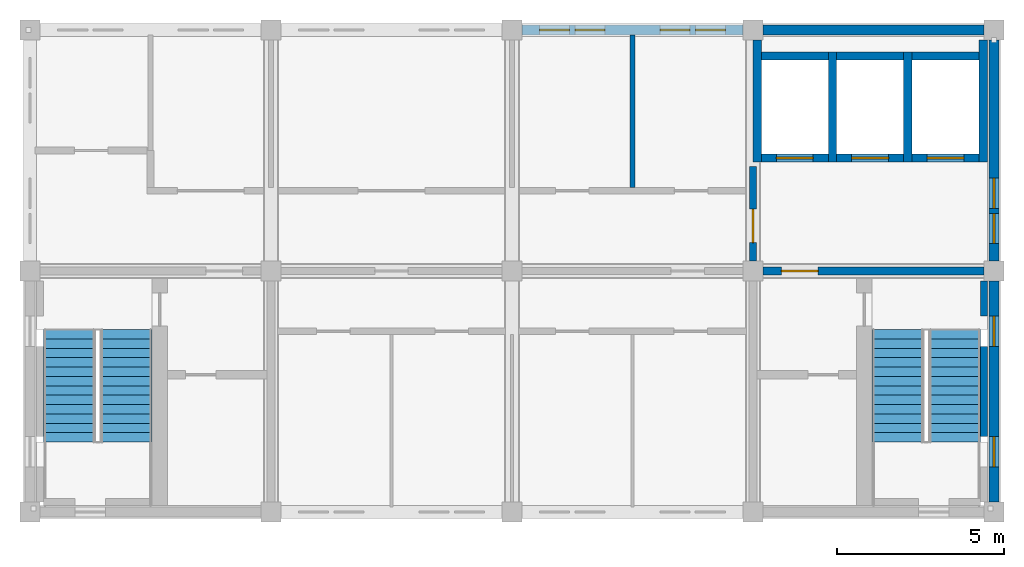
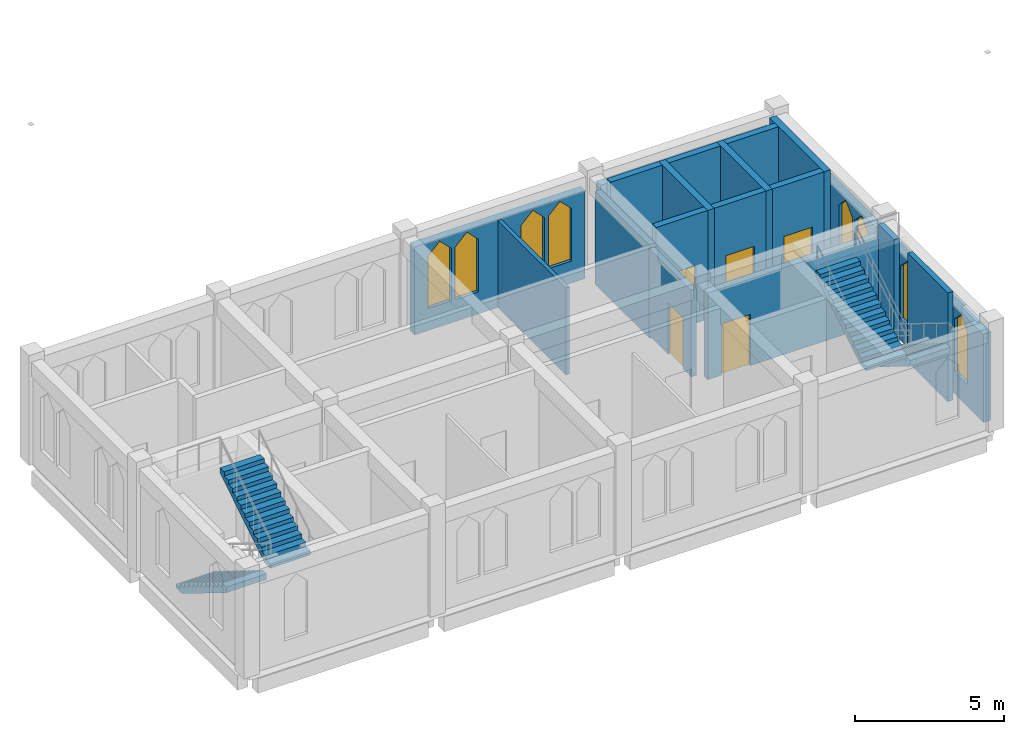
# One storey, part 4 of 6: 19 walls, 8 windows, 5 doors, 4 stair flights, 13 openings, 2 elements without a shape of their own.
"""IFC4 building model written with IfcOpenShell, lengths in metres."""

from ifc_helpers import new_model, si_unit, direction, frame, frame_2d, origin, place, context, subcontext, project, spatial, polyline, rectangle, outline, extrude, material, layer, layer_set, type_object, element, fill, aggregate, save


model = new_model("IFC4")

# Units and contexts
model_context = context("Model", 3, precision=1e-05, world=origin(), true_north=direction((0.0, 1.0)))
body_context = subcontext(model_context, "Body", "Model", "MODEL_VIEW")
ifc_project = project(units=[si_unit("LENGTHUNIT", "METRE"), si_unit("AREAUNIT", "SQUARE_METRE"), si_unit("VOLUMEUNIT", "CUBIC_METRE"), si_unit("PLANEANGLEUNIT", "RADIAN"), si_unit("MASSUNIT", "GRAM", prefix="KILO")], contexts=[model_context])

# Site, building, storey
site_placement = place(None, origin())
site = spatial("IfcSite", under=ifc_project, at=site_placement, CompositionType="ELEMENT")
building_placement = place(site_placement, origin())
building = spatial("IfcBuilding", under=site, at=building_placement, Name="Silangan Lancet Faculty of Sciences", CompositionType="ELEMENT")
storey_placement = place(building_placement, frame((0.0, 0.0, 76.800048828125)))
storey = spatial("IfcBuildingStorey", under=building, at=storey_placement, Name="L16", CompositionType="ELEMENT", Elevation=76.800048828125)

# Wall, openings, windows
ifc_material_1 = material(Name="Concrete C40/50 precast", Category="concrete")
ifc_layer_1 = layer(ifc_material_1, 0.300048828125)
ifc_layer_set_1 = layer_set([ifc_layer_1], Name="Concrete C40/50 precast")
wall_type_1 = type_object("IfcWallType", Name="EW2 Turret enclosure wall", PredefinedType="STANDARD", material=ifc_layer_set_1)
wall_1_placement = place(storey_placement, frame((28.800048828125, 0.300048828125, 0.0), z_axis=(0.0, 0.0, 1.0), x_axis=(0.0, 1.0, 0.0)))
wall_1 = element("IfcWall", 1, at=wall_1_placement, inside=storey, type_object=wall_type_1, Name="EW-L16-E-ST-U-00", PredefinedType="STANDARD", context=body_context, shape_type="SweptSolid", body=[
    extrude(rectangle(XDim=6.599853515625, YDim=0.300048828125, at=frame_2d((3.2998046875, 0.0))), origin(), (0.0, 0.0, 1.0), 3.599853515625),
])
opening_1_placement = place(wall_1_placement, frame((1.050048828125, 0.0, 0.89990234375)))
opening_1 = element("IfcOpeningElement", 2, at=opening_1_placement, cuts=wall_1, Name="Opening W25", PredefinedType="OPENING", context=body_context, shape_type="SweptSolid", body=[
    extrude(outline(polyline([(0.0, 0.0), (0.89990234375, 0.0), (0.89990234375, 2.150146484375), (0.449951171875, 2.60009765625), (0.0, 2.150146484375), (0.0, 0.0)])), frame((0.0, 0.159912109375, 0.0), z_axis=(0.0, -1.0, 0.0), x_axis=(1.0, 0.0, 0.0)), (0.0, 0.0, 1.0), 0.320068359375),
])
opening_2_placement = place(wall_1_placement, frame((4.64990234375, 0.0, 0.89990234375)))
opening_2 = element("IfcOpeningElement", 3, at=opening_2_placement, cuts=wall_1, Name="Opening W25", PredefinedType="OPENING", context=body_context, shape_type="SweptSolid", body=[
    extrude(outline(polyline([(0.0, 0.0), (0.89990234375, 0.0), (0.89990234375, 2.150146484375), (0.449951171875, 2.60009765625), (0.0, 2.150146484375), (0.0, 0.0)])), frame((0.0, 0.159912109375, 0.0), z_axis=(0.0, -1.0, 0.0), x_axis=(1.0, 0.0, 0.0)), (0.0, 0.0, 1.0), 0.320068359375),
])
ifc_material_2 = material(Name="Aluminium frame, laminated double glazing", Category="aluminium")
window_type = type_object("IfcWindowType", Name="W25 Lancet window 900 x 2600", PartitioningType="SINGLE_PANEL", PredefinedType="WINDOW", material=ifc_material_2)
window_1_placement = place(opening_1_placement, origin())
window_1 = element("IfcWindow", 4, at=window_1_placement, inside=storey, type_object=window_type, Name="WIN-L16-E-ST-U-00a", OverallHeight=2.60009765625, OverallWidth=0.89990234375, PartitioningType="SINGLE_PANEL", PredefinedType="WINDOW", context=body_context, shape_type="SweptSolid", body=[
    extrude(outline(polyline([(0.0, 0.0), (0.89990234375, 0.0), (0.89990234375, 2.150146484375), (0.449951171875, 2.60009765625), (0.0, 2.150146484375), (0.0, 0.0)])), frame((0.0, 0.030029296875, 0.0), z_axis=(0.0, -1.0, 0.0), x_axis=(1.0, 0.0, 0.0)), (0.0, 0.0, 1.0), 0.06005859375),
])
fill(opening_1, window_1)
window_2_placement = place(opening_2_placement, origin())
window_2 = element("IfcWindow", 5, at=window_2_placement, inside=storey, type_object=window_type, Name="WIN-L16-E-ST-U-00b", OverallHeight=2.60009765625, OverallWidth=0.89990234375, PartitioningType="SINGLE_PANEL", PredefinedType="WINDOW", context=body_context, shape_type="SweptSolid", body=[
    extrude(outline(polyline([(0.0, 0.0), (0.89990234375, 0.0), (0.89990234375, 2.150146484375), (0.449951171875, 2.60009765625), (0.0, 2.150146484375), (0.0, 0.0)])), frame((0.0, 0.030029296875, 0.0), z_axis=(0.0, -1.0, 0.0), x_axis=(1.0, 0.0, 0.0)), (0.0, 0.0, 1.0), 0.06005859375),
])
fill(opening_2, window_2)

ifc_material_3 = material(Name="Concrete C40/50", Category="concrete")
ifc_layer_2 = layer(ifc_material_3, 0.300048828125)
ifc_layer_set_2 = layer_set([ifc_layer_2], Name="Concrete C40/50")
wall_type_2 = type_object("IfcWallType", Name="EW7 Rendered attic wall", PredefinedType="STANDARD", material=ifc_layer_set_2)
wall_2_placement = place(storey_placement, frame((28.800048828125, 7.5, 0.0), z_axis=(0.0, 0.0, 1.0), x_axis=(0.0, 1.0, 0.0)))
wall_2 = element("IfcWall", 6, at=wall_2_placement, inside=storey, type_object=wall_type_2, Name="EW-L16-E-ST-U-01", PredefinedType="STANDARD", context=body_context, shape_type="SweptSolid", body=[
    extrude(rectangle(XDim=6.60009765625, YDim=0.300048828125, at=frame_2d((3.300048828125, 0.0))), origin(), (0.0, 0.0, 1.0), 3.599853515625),
])
opening_3_placement = place(wall_2_placement, frame((0.52490234375, 0.0, 0.89990234375)))
opening_3 = element("IfcOpeningElement", 7, at=opening_3_placement, cuts=wall_2, Name="Opening W25", PredefinedType="OPENING", context=body_context, shape_type="SweptSolid", body=[
    extrude(outline(polyline([(0.0, 0.0), (0.89990234375, 0.0), (0.89990234375, 2.150146484375), (0.449951171875, 2.60009765625), (0.0, 2.150146484375), (0.0, 0.0)])), frame((0.0, 0.159912109375, 0.0), z_axis=(0.0, -1.0, 0.0), x_axis=(1.0, 0.0, 0.0)), (0.0, 0.0, 1.0), 0.320068359375),
])
opening_4_placement = place(wall_2_placement, frame((1.574951171875, 0.0, 0.89990234375)))
opening_4 = element("IfcOpeningElement", 8, at=opening_4_placement, cuts=wall_2, Name="Opening W25", PredefinedType="OPENING", context=body_context, shape_type="SweptSolid", body=[
    extrude(outline(polyline([(0.0, 0.0), (0.89990234375, 0.0), (0.89990234375, 2.150146484375), (0.449951171875, 2.60009765625), (0.0, 2.150146484375), (0.0, 0.0)])), frame((0.0, 0.159912109375, 0.0), z_axis=(0.0, -1.0, 0.0), x_axis=(1.0, 0.0, 0.0)), (0.0, 0.0, 1.0), 0.320068359375),
])
window_3_placement = place(opening_3_placement, origin())
window_3 = element("IfcWindow", 9, at=window_3_placement, inside=storey, type_object=window_type, Name="WIN-L16-E-ST-U-01a1", OverallHeight=2.60009765625, OverallWidth=0.89990234375, PartitioningType="SINGLE_PANEL", PredefinedType="WINDOW", context=body_context, shape_type="SweptSolid", body=[
    extrude(outline(polyline([(0.0, 0.0), (0.89990234375, 0.0), (0.89990234375, 2.150146484375), (0.449951171875, 2.60009765625), (0.0, 2.150146484375), (0.0, 0.0)])), frame((0.0, 0.030029296875, 0.0), z_axis=(0.0, -1.0, 0.0), x_axis=(1.0, 0.0, 0.0)), (0.0, 0.0, 1.0), 0.06005859375),
])
fill(opening_3, window_3)
window_4_placement = place(opening_4_placement, origin())
window_4 = element("IfcWindow", 10, at=window_4_placement, inside=storey, type_object=window_type, Name="WIN-L16-E-ST-U-01a2", OverallHeight=2.60009765625, OverallWidth=0.89990234375, PartitioningType="SINGLE_PANEL", PredefinedType="WINDOW", context=body_context, shape_type="SweptSolid", body=[
    extrude(outline(polyline([(0.0, 0.0), (0.89990234375, 0.0), (0.89990234375, 2.150146484375), (0.449951171875, 2.60009765625), (0.0, 2.150146484375), (0.0, 0.0)])), frame((0.0, 0.030029296875, 0.0), z_axis=(0.0, -1.0, 0.0), x_axis=(1.0, 0.0, 0.0)), (0.0, 0.0, 1.0), 0.06005859375),
])
fill(opening_4, window_4)

# Wall
wall_3_placement = place(storey_placement, frame((28.5, 14.39990234375, 0.0), z_axis=(0.0, 0.0, 1.0), x_axis=(-1.0, 0.0, 0.0)))
element("IfcWall", 11, at=wall_3_placement, inside=storey, type_object=wall_type_2, Name="EW-L16-N-ST-U-00", PredefinedType="STANDARD", context=body_context, shape_type="SweptSolid", body=[
    extrude(rectangle(XDim=6.60009765625, YDim=0.300048828125, at=frame_2d((3.300048828125, 0.0))), origin(), (0.0, 0.0, 1.0), 3.599853515625),
])

# Wall, openings, windows
wall_4_placement = place(storey_placement, frame((21.300048828125, 14.39990234375, 0.0), z_axis=(0.0, 0.0, 1.0), x_axis=(-1.0, 0.0, 0.0)))
wall_4 = element("IfcWall", 12, at=wall_4_placement, inside=storey, type_object=wall_type_2, Name="EW-L16-N-ST-U-01", PredefinedType="STANDARD", context=body_context, shape_type="SweptSolid", body=[
    extrude(rectangle(XDim=6.60009765625, YDim=0.300048828125, at=frame_2d((3.300048828125, 0.0))), origin(), (0.0, 0.0, 1.0), 3.599853515625),
])
opening_5_placement = place(wall_4_placement, frame((0.52490234375, 0.0, 0.89990234375)))
opening_5 = element("IfcOpeningElement", 13, at=opening_5_placement, cuts=wall_4, Name="Opening W25", PredefinedType="OPENING", context=body_context, shape_type="SweptSolid", body=[
    extrude(outline(polyline([(0.0, 0.0), (0.89990234375, 0.0), (0.89990234375, 2.150146484375), (0.449951171875, 2.60009765625), (0.0, 2.150146484375), (0.0, 0.0)])), frame((0.0, 0.159912109375, 0.0), z_axis=(0.0, -1.0, 0.0), x_axis=(1.0, 0.0, 0.0)), (0.0, 0.0, 1.0), 0.320068359375),
])
opening_6_placement = place(wall_4_placement, frame((1.574951171875, 0.0, 0.89990234375)))
opening_6 = element("IfcOpeningElement", 14, at=opening_6_placement, cuts=wall_4, Name="Opening W25", PredefinedType="OPENING", context=body_context, shape_type="SweptSolid", body=[
    extrude(outline(polyline([(0.0, 0.0), (0.89990234375, 0.0), (0.89990234375, 2.150146484375), (0.449951171875, 2.60009765625), (0.0, 2.150146484375), (0.0, 0.0)])), frame((0.0, 0.159912109375, 0.0), z_axis=(0.0, -1.0, 0.0), x_axis=(1.0, 0.0, 0.0)), (0.0, 0.0, 1.0), 0.320068359375),
])
opening_7_placement = place(wall_4_placement, frame((4.125, 0.0, 0.89990234375)))
opening_7 = element("IfcOpeningElement", 15, at=opening_7_placement, cuts=wall_4, Name="Opening W25", PredefinedType="OPENING", context=body_context, shape_type="SweptSolid", body=[
    extrude(outline(polyline([(0.0, 0.0), (0.89990234375, 0.0), (0.89990234375, 2.150146484375), (0.449951171875, 2.60009765625), (0.0, 2.150146484375), (0.0, 0.0)])), frame((0.0, 0.159912109375, 0.0), z_axis=(0.0, -1.0, 0.0), x_axis=(1.0, 0.0, 0.0)), (0.0, 0.0, 1.0), 0.320068359375),
])
opening_8_placement = place(wall_4_placement, frame((5.175048828125, 0.0, 0.89990234375)))
opening_8 = element("IfcOpeningElement", 16, at=opening_8_placement, cuts=wall_4, Name="Opening W25", PredefinedType="OPENING", context=body_context, shape_type="SweptSolid", body=[
    extrude(outline(polyline([(0.0, 0.0), (0.89990234375, 0.0), (0.89990234375, 2.150146484375), (0.449951171875, 2.60009765625), (0.0, 2.150146484375), (0.0, 0.0)])), frame((0.0, 0.159912109375, 0.0), z_axis=(0.0, -1.0, 0.0), x_axis=(1.0, 0.0, 0.0)), (0.0, 0.0, 1.0), 0.320068359375),
])
window_5_placement = place(opening_5_placement, origin())
window_5 = element("IfcWindow", 17, at=window_5_placement, inside=storey, type_object=window_type, Name="WIN-L16-N-ST-U-01a1", OverallHeight=2.60009765625, OverallWidth=0.89990234375, PartitioningType="SINGLE_PANEL", PredefinedType="WINDOW", context=body_context, shape_type="SweptSolid", body=[
    extrude(outline(polyline([(0.0, 0.0), (0.89990234375, 0.0), (0.89990234375, 2.150146484375), (0.449951171875, 2.60009765625), (0.0, 2.150146484375), (0.0, 0.0)])), frame((0.0, 0.030029296875, 0.0), z_axis=(0.0, -1.0, 0.0), x_axis=(1.0, 0.0, 0.0)), (0.0, 0.0, 1.0), 0.06005859375),
])
fill(opening_5, window_5)
window_6_placement = place(opening_6_placement, origin())
window_6 = element("IfcWindow", 18, at=window_6_placement, inside=storey, type_object=window_type, Name="WIN-L16-N-ST-U-01a2", OverallHeight=2.60009765625, OverallWidth=0.89990234375, PartitioningType="SINGLE_PANEL", PredefinedType="WINDOW", context=body_context, shape_type="SweptSolid", body=[
    extrude(outline(polyline([(0.0, 0.0), (0.89990234375, 0.0), (0.89990234375, 2.150146484375), (0.449951171875, 2.60009765625), (0.0, 2.150146484375), (0.0, 0.0)])), frame((0.0, 0.030029296875, 0.0), z_axis=(0.0, -1.0, 0.0), x_axis=(1.0, 0.0, 0.0)), (0.0, 0.0, 1.0), 0.06005859375),
])
fill(opening_6, window_6)
window_7_placement = place(opening_7_placement, origin())
window_7 = element("IfcWindow", 19, at=window_7_placement, inside=storey, type_object=window_type, Name="WIN-L16-N-ST-U-01b1", OverallHeight=2.60009765625, OverallWidth=0.89990234375, PartitioningType="SINGLE_PANEL", PredefinedType="WINDOW", context=body_context, shape_type="SweptSolid", body=[
    extrude(outline(polyline([(0.0, 0.0), (0.89990234375, 0.0), (0.89990234375, 2.150146484375), (0.449951171875, 2.60009765625), (0.0, 2.150146484375), (0.0, 0.0)])), frame((0.0, 0.030029296875, 0.0), z_axis=(0.0, -1.0, 0.0), x_axis=(1.0, 0.0, 0.0)), (0.0, 0.0, 1.0), 0.06005859375),
])
fill(opening_7, window_7)
window_8_placement = place(opening_8_placement, origin())
window_8 = element("IfcWindow", 20, at=window_8_placement, inside=storey, type_object=window_type, Name="WIN-L16-N-ST-U-01b2", OverallHeight=2.60009765625, OverallWidth=0.89990234375, PartitioningType="SINGLE_PANEL", PredefinedType="WINDOW", context=body_context, shape_type="SweptSolid", body=[
    extrude(outline(polyline([(0.0, 0.0), (0.89990234375, 0.0), (0.89990234375, 2.150146484375), (0.449951171875, 2.60009765625), (0.0, 2.150146484375), (0.0, 0.0)])), frame((0.0, 0.030029296875, 0.0), z_axis=(0.0, -1.0, 0.0), x_axis=(1.0, 0.0, 0.0)), (0.0, 0.0, 1.0), 0.06005859375),
])
fill(opening_8, window_8)

# Wall
ifc_material_4 = material(Name="Hollow block masonry fm 7 MPa", Category="masonry")
ifc_layer_3 = layer(ifc_material_4, 0.14990234375)
ifc_layer_set_3 = layer_set([ifc_layer_3], Name="Hollow block masonry fm 7 MPa")
wall_type_3 = type_object("IfcWallType", Name="Interior wall PW3 Partition CHB 150", PredefinedType="PARTITIONING", material=ifc_layer_set_3)
wall_5_placement = place(storey_placement, frame((18.0, 9.699951171875, 0.0), z_axis=(0.0, 0.0, 1.0), x_axis=(0.0, 1.0, 0.0)))
element("IfcWall", 21, at=wall_5_placement, inside=storey, type_object=wall_type_3, Name="Partition CHB 150", PredefinedType="PARTITIONING", context=body_context, shape_type="SweptSolid", body=[
    extrude(rectangle(XDim=4.550048828125, YDim=0.14990234375, at=frame_2d((2.27490234375, 0.0))), origin(), (0.0, 0.0, 1.0), 3.550048828125),
])

# Wall, opening, door
ifc_material_5 = material(Name="Hollow block masonry fm 7 MPa", Category="masonry")
ifc_layer_4 = layer(ifc_material_5, 0.199951171875)
ifc_layer_set_4 = layer_set([ifc_layer_4], Name="Hollow block masonry fm 7 MPa")
wall_type_4 = type_object("IfcWallType", Name="Interior wall PW9 Lift lobby wall CHB 200", PredefinedType="PARTITIONING", material=ifc_layer_set_4)
wall_6_placement = place(storey_placement, frame((21.60009765625, 7.5, 0.0), z_axis=(0.0, 0.0, 1.0), x_axis=(0.0, 1.0, 0.0)))
wall_6 = element("IfcWall", 22, at=wall_6_placement, inside=storey, type_object=wall_type_4, Name="Lift lobby wall CHB 200", PredefinedType="PARTITIONING", context=body_context, shape_type="SweptSolid", body=[
    extrude(rectangle(XDim=2.824951171875, YDim=0.199951171875, at=frame_2d((1.41259765625, 0.0))), origin(), (0.0, 0.0, 1.0), 3.550048828125),
])
opening_9_placement = place(wall_6_placement, frame((0.550048828125, 0.0, 0.0)))
opening_9 = element("IfcOpeningElement", 23, at=opening_9_placement, cuts=wall_6, Name="Opening L16-001", PredefinedType="OPENING", context=body_context, shape_type="SweptSolid", body=[
    extrude(rectangle(XDim=1.0, YDim=2.10009765625, at=frame_2d((0.5, 1.050048828125))), frame((0.0, 0.10986328125, 0.0), z_axis=(0.0, -1.0, 0.0), x_axis=(1.0, 0.0, 0.0)), (0.0, 0.0, 1.0), 0.219970703125),
])
ifc_material_6 = material(Name="Steel fire door set", Category="steel")
door_type_1 = type_object("IfcDoorType", Name="Door D1 Single leaf fire door 1000 x 2100", OperationType="SINGLE_SWING_LEFT", PredefinedType="DOOR", material=ifc_material_6)
door_1_placement = place(opening_9_placement, origin())
door_1 = element("IfcDoor", 24, at=door_1_placement, inside=storey, type_object=door_type_1, Name="Single leaf fire door 1000 x 2100", OperationType="SINGLE_SWING_LEFT", OverallHeight=2.10009765625, OverallWidth=1.0, PredefinedType="DOOR", context=body_context, shape_type="SweptSolid", body=[
    extrude(rectangle(XDim=1.0, YDim=2.10009765625, at=frame_2d((0.5, 1.050048828125))), frame((0.0, 0.02490234375, 0.0), z_axis=(0.0, -1.0, 0.0), x_axis=(1.0, 0.0, 0.0)), (0.0, 0.0, 1.0), 0.050048828125),
])
fill(opening_9, door_1)

# Walls
ifc_material_7 = material(Name="Concrete C40/50", Category="concrete")
ifc_layer_5 = layer(ifc_material_7, 0.25)
ifc_layer_set_5 = layer_set([ifc_layer_5], Name="Concrete C40/50")
wall_type_5 = type_object("IfcWallType", Name="LIFT SHAFT WALL RC 250", PredefinedType="SHEAR", material=ifc_layer_set_5)
wall_7_placement = place(storey_placement, frame((21.72509765625, 10.449951171875, -0.25), z_axis=(0.0, 0.0, 1.0), x_axis=(0.0, 1.0, 0.0)))
element("IfcWall", 25, at=wall_7_placement, inside=storey, type_object=wall_type_5, Name="WALL-L16-ST-SW1", PredefinedType="SHEAR", context=body_context, shape_type="SweptSolid", body=[
    extrude(rectangle(XDim=3.650146484375, YDim=0.25, at=frame_2d((1.8251953125, 0.0))), origin(), (0.0, 0.0, 1.0), 3.800048828125),
])
for number, where, z_axis, x_axis, name in (
    (26, (23.97509765625, 10.449951171875, -0.25), (0.0, 0.0, 1.0), (0.0, 1.0, 0.0), "WALL-L16-ST-SW2"),
    (27, (26.22509765625, 10.449951171875, -0.25), (0.0, 0.0, 1.0), (0.0, 1.0, 0.0), "WALL-L16-ST-SW3"),
):
    element("IfcWall", number, at=place(storey_placement, frame(where, z_axis=z_axis, x_axis=x_axis)), inside=storey, type_object=wall_type_5, Name=name, PredefinedType="SHEAR", context=body_context, shape_type="SweptSolid", body=[
        extrude(rectangle(XDim=3.300048828125, YDim=0.25, at=frame_2d((1.64990234375, 0.0))), origin(), (0.0, 0.0, 1.0), 4.449951171875),
    ])
wall_8_placement = place(storey_placement, frame((28.47509765625, 10.449951171875, -0.25), z_axis=(0.0, 0.0, 1.0), x_axis=(0.0, 1.0, 0.0)))
element("IfcWall", 28, at=wall_8_placement, inside=storey, type_object=wall_type_5, Name="WALL-L16-ST-SW4", PredefinedType="SHEAR", context=body_context, shape_type="SweptSolid", body=[
    extrude(rectangle(XDim=3.650146484375, YDim=0.25, at=frame_2d((1.8251953125, 0.0))), origin(), (0.0, 0.0, 1.0), 4.449951171875),
])

# Wall, opening, door
wall_9_placement = place(storey_placement, frame((21.85009765625, 10.574951171875, -0.25), z_axis=(0.0, 0.0, 1.0), x_axis=(1.0, 0.0, 0.0)))
wall_9 = element("IfcWall", 29, at=wall_9_placement, inside=storey, type_object=wall_type_5, Name="WALL-L16-ST-L1-F", PredefinedType="SHEAR", context=body_context, shape_type="SweptSolid", body=[
    extrude(rectangle(XDim=2.0, YDim=0.25, at=frame_2d((1.0, 0.0))), origin(), (0.0, 0.0, 1.0), 4.449951171875),
])
opening_10_placement = place(wall_9_placement, frame((0.449951171875, 0.0, 0.25)))
opening_10 = element("IfcOpeningElement", 30, at=opening_10_placement, cuts=wall_9, Name="Opening L16-801", PredefinedType="OPENING", context=body_context, shape_type="SweptSolid", body=[
    extrude(rectangle(XDim=1.10009765625, YDim=2.10009765625, at=frame_2d((0.550048828125, 1.050048828125))), frame((0.0, 0.135009765625, 0.0), z_axis=(0.0, -1.0, 0.0), x_axis=(1.0, 0.0, 0.0)), (0.0, 0.0, 1.0), 0.27001953125),
])
ifc_material_8 = material(Name="Stainless steel sliding door", Category="steel")
door_type_2 = type_object("IfcDoorType", Name="LD1 Lift landing door 1100x2100", OperationType="SLIDING_TO_LEFT", PredefinedType="DOOR", material=ifc_material_8)
door_2_placement = place(opening_10_placement, origin())
door_2 = element("IfcDoor", 31, at=door_2_placement, inside=storey, type_object=door_type_2, Name="Landing door ST-L1 L16", OperationType="SLIDING_TO_LEFT", OverallHeight=2.10009765625, OverallWidth=1.10009765625, PredefinedType="DOOR", context=body_context, shape_type="SweptSolid", body=[
    extrude(rectangle(XDim=1.10009765625, YDim=2.10009765625, at=frame_2d((0.550048828125, 1.050048828125))), frame((0.0, 0.02490234375, 0.0), z_axis=(0.0, -1.0, 0.0), x_axis=(1.0, 0.0, 0.0)), (0.0, 0.0, 1.0), 0.050048828125),
])
fill(opening_10, door_2)

# Wall
wall_10_placement = place(storey_placement, frame((21.85009765625, 13.625, -0.25), z_axis=(0.0, 0.0, 1.0), x_axis=(1.0, 0.0, 0.0)))
element("IfcWall", 32, at=wall_10_placement, inside=storey, type_object=wall_type_5, Name="WALL-L16-ST-L1-B", PredefinedType="SHEAR", context=body_context, shape_type="SweptSolid", body=[
    extrude(rectangle(XDim=2.0, YDim=0.25, at=frame_2d((1.0, 0.0))), origin(), (0.0, 0.0, 1.0), 4.449951171875),
])

# Wall, opening, door
wall_11_placement = place(storey_placement, frame((24.10009765625, 10.574951171875, -0.25), z_axis=(0.0, 0.0, 1.0), x_axis=(1.0, 0.0, 0.0)))
wall_11 = element("IfcWall", 33, at=wall_11_placement, inside=storey, type_object=wall_type_5, Name="WALL-L16-ST-L2-F", PredefinedType="SHEAR", context=body_context, shape_type="SweptSolid", body=[
    extrude(rectangle(XDim=2.0, YDim=0.25, at=frame_2d((1.0, 0.0))), origin(), (0.0, 0.0, 1.0), 4.449951171875),
])
opening_11_placement = place(wall_11_placement, frame((0.449951171875, 0.0, 0.25)))
opening_11 = element("IfcOpeningElement", 34, at=opening_11_placement, cuts=wall_11, Name="Opening L16-802", PredefinedType="OPENING", context=body_context, shape_type="SweptSolid", body=[
    extrude(rectangle(XDim=1.10009765625, YDim=2.10009765625, at=frame_2d((0.550048828125, 1.050048828125))), frame((0.0, 0.135009765625, 0.0), z_axis=(0.0, -1.0, 0.0), x_axis=(1.0, 0.0, 0.0)), (0.0, 0.0, 1.0), 0.27001953125),
])
door_3_placement = place(opening_11_placement, origin())
door_3 = element("IfcDoor", 35, at=door_3_placement, inside=storey, type_object=door_type_2, Name="Landing door ST-L2 L16", OperationType="SLIDING_TO_LEFT", OverallHeight=2.10009765625, OverallWidth=1.10009765625, PredefinedType="DOOR", context=body_context, shape_type="SweptSolid", body=[
    extrude(rectangle(XDim=1.10009765625, YDim=2.10009765625, at=frame_2d((0.550048828125, 1.050048828125))), frame((0.0, 0.02490234375, 0.0), z_axis=(0.0, -1.0, 0.0), x_axis=(1.0, 0.0, 0.0)), (0.0, 0.0, 1.0), 0.050048828125),
])
fill(opening_11, door_3)

# Wall
wall_12_placement = place(storey_placement, frame((24.10009765625, 13.625, -0.25), z_axis=(0.0, 0.0, 1.0), x_axis=(1.0, 0.0, 0.0)))
element("IfcWall", 36, at=wall_12_placement, inside=storey, type_object=wall_type_5, Name="WALL-L16-ST-L2-B", PredefinedType="SHEAR", context=body_context, shape_type="SweptSolid", body=[
    extrude(rectangle(XDim=2.0, YDim=0.25, at=frame_2d((1.0, 0.0))), origin(), (0.0, 0.0, 1.0), 4.449951171875),
])

# Wall, opening, door
wall_13_placement = place(storey_placement, frame((26.35009765625, 10.574951171875, -0.25), z_axis=(0.0, 0.0, 1.0), x_axis=(1.0, 0.0, 0.0)))
wall_13 = element("IfcWall", 37, at=wall_13_placement, inside=storey, type_object=wall_type_5, Name="WALL-L16-ST-L3-F", PredefinedType="SHEAR", context=body_context, shape_type="SweptSolid", body=[
    extrude(rectangle(XDim=2.0, YDim=0.25, at=frame_2d((1.0, 0.0))), origin(), (0.0, 0.0, 1.0), 4.449951171875),
])
opening_12_placement = place(wall_13_placement, frame((0.449951171875, 0.0, 0.25)))
opening_12 = element("IfcOpeningElement", 38, at=opening_12_placement, cuts=wall_13, Name="Opening L16-803", PredefinedType="OPENING", context=body_context, shape_type="SweptSolid", body=[
    extrude(rectangle(XDim=1.10009765625, YDim=2.10009765625, at=frame_2d((0.550048828125, 1.050048828125))), frame((0.0, 0.135009765625, 0.0), z_axis=(0.0, -1.0, 0.0), x_axis=(1.0, 0.0, 0.0)), (0.0, 0.0, 1.0), 0.27001953125),
])
door_4_placement = place(opening_12_placement, origin())
door_4 = element("IfcDoor", 39, at=door_4_placement, inside=storey, type_object=door_type_2, Name="Landing door ST-L3 L16", OperationType="SLIDING_TO_LEFT", OverallHeight=2.10009765625, OverallWidth=1.10009765625, PredefinedType="DOOR", context=body_context, shape_type="SweptSolid", body=[
    extrude(rectangle(XDim=1.10009765625, YDim=2.10009765625, at=frame_2d((0.550048828125, 1.050048828125))), frame((0.0, 0.02490234375, 0.0), z_axis=(0.0, -1.0, 0.0), x_axis=(1.0, 0.0, 0.0)), (0.0, 0.0, 1.0), 0.050048828125),
])
fill(opening_12, door_4)

# Walls
wall_14_placement = place(storey_placement, frame((26.35009765625, 13.625, -0.25), z_axis=(0.0, 0.0, 1.0), x_axis=(1.0, 0.0, 0.0)))
element("IfcWall", 40, at=wall_14_placement, inside=storey, type_object=wall_type_5, Name="WALL-L16-ST-L3-B", PredefinedType="SHEAR", context=body_context, shape_type="SweptSolid", body=[
    extrude(rectangle(XDim=2.0, YDim=0.25, at=frame_2d((1.0, 0.0))), origin(), (0.0, 0.0, 1.0), 4.449951171875),
])
ifc_material_9 = material(Name="Concrete C40/50", Category="concrete")
ifc_layer_6 = layer(ifc_material_9, 0.199951171875)
ifc_layer_set_6 = layer_set([ifc_layer_6], Name="Concrete C40/50")
wall_type_6 = type_object("IfcWallType", Name="TURRET LINING WALL RC 200", PredefinedType="SHEAR", material=ifc_layer_set_6)
wall_15_placement = place(storey_placement, frame((28.5, 2.25, -0.25), z_axis=(0.0, 0.0, 1.0), x_axis=(0.0, 1.0, 0.0)))
element("IfcWall", 41, at=wall_15_placement, inside=storey, type_object=wall_type_6, Name="WALL-L16-ST-B-WL-2", PredefinedType="SHEAR", context=body_context, shape_type="SweptSolid", body=[
    extrude(rectangle(XDim=2.699951171875, YDim=0.199951171875, at=frame_2d((1.35009765625, 0.0))), origin(), (0.0, 0.0, 1.0), 4.449951171875),
])
wall_16_placement = place(storey_placement, frame((28.5, 5.85009765625, -0.25), z_axis=(0.0, 0.0, 1.0), x_axis=(0.0, 1.0, 0.0)))
element("IfcWall", 42, at=wall_16_placement, inside=storey, type_object=wall_type_6, Name="WALL-L16-ST-B-WL-3", PredefinedType="SHEAR", context=body_context, shape_type="SweptSolid", body=[
    extrude(rectangle(XDim=1.0498046875, YDim=0.199951171875, at=frame_2d((0.52490234375, 0.0))), origin(), (0.0, 0.0, 1.0), 4.449951171875),
])

# Wall, opening, door
ifc_material_10 = material(Name="Concrete C40/50", Category="concrete")
ifc_layer_7 = layer(ifc_material_10, 0.25)
ifc_layer_set_7 = layer_set([ifc_layer_7], Name="Concrete C40/50")
wall_type_7 = type_object("IfcWallType", Name="TURRET WALL RC 250", PredefinedType="SHEAR", material=ifc_layer_set_7)
wall_17_placement = place(storey_placement, frame((21.89990234375, 7.199951171875, 0.0), z_axis=(0.0, 0.0, 1.0), x_axis=(1.0, 0.0, 0.0)))
wall_17 = element("IfcWall", 43, at=wall_17_placement, inside=storey, type_object=wall_type_7, Name="WALL-L16-ST-B-V", PredefinedType="SHEAR", context=body_context, shape_type="SweptSolid", body=[
    extrude(rectangle(XDim=6.60009765625, YDim=0.25, at=frame_2d((3.300048828125, 0.0))), origin(), (0.0, 0.0, 1.0), 3.550048828125),
])
opening_13_placement = place(wall_17_placement, frame((0.550048828125, 0.0, 0.0)))
opening_13 = element("IfcOpeningElement", 44, at=opening_13_placement, cuts=wall_17, Name="Opening L16-705", PredefinedType="OPENING", context=body_context, shape_type="SweptSolid", body=[
    extrude(rectangle(XDim=1.10009765625, YDim=2.10009765625, at=frame_2d((0.550048828125, 1.050048828125))), frame((0.0, 0.135009765625, 0.0), z_axis=(0.0, -1.0, 0.0), x_axis=(1.0, 0.0, 0.0)), (0.0, 0.0, 1.0), 0.27001953125),
])
ifc_material_11 = material(Name="Steel fire door set", Category="steel")
door_type_3 = type_object("IfcDoorType", Name="D70 Stair vestibule door 1100x2100", OperationType="SINGLE_SWING_LEFT", PredefinedType="DOOR", material=ifc_material_11)
door_5_placement = place(opening_13_placement, frame((1.10009765625, 0.0, 0.0), z_axis=(0.0, 0.0, 1.0), x_axis=(-1.0, 0.0, 0.0)))
door_5 = element("IfcDoor", 45, at=door_5_placement, inside=storey, type_object=door_type_3, Name="Stair vestibule door ST-B L16", OperationType="SINGLE_SWING_RIGHT", OverallHeight=2.10009765625, OverallWidth=1.10009765625, PredefinedType="DOOR", context=body_context, shape_type="SweptSolid", body=[
    extrude(rectangle(XDim=1.10009765625, YDim=2.10009765625, at=frame_2d((0.550048828125, 1.050048828125))), frame((0.0, 0.025146484375, 0.0), z_axis=(0.0, -1.0, 0.0), x_axis=(1.0, 0.0, 0.0)), (0.0, 0.0, 1.0), 0.050048828125),
])
fill(opening_13, door_5)

# Stair, stair flights
ifc_material_12 = material(Name="Concrete C40/50", Category="concrete")
stair_type = type_object("IfcStairType", Name="TURRET STAIR 1550 TWO-FLIGHT", PredefinedType="HALF_TURN_STAIR", material=ifc_material_12)
stair_1_placement = place(storey_placement, origin())
stair_1 = element("IfcStair", 46, at=stair_1_placement, inside=storey, type_object=stair_type, Name="ST-A stair L16", PredefinedType="HALF_TURN_STAIR")
ifc_material_13 = material(Name="Concrete C40/50", Category="concrete")
stair_flight_type = type_object("IfcStairFlightType", Name="TURRET STAIR FLIGHT 1550", PredefinedType="STRAIGHT", material=ifc_material_13)
stair_flight_1_placement = place(storey_placement, frame((1.175048828125, 5.449951171875, 0.0), z_axis=(0.0, 0.0, 1.0), x_axis=(0.0, -1.0, 0.0)))
stair_flight_1 = element("IfcStairFlight", 47, at=stair_flight_1_placement, type_object=stair_flight_type, Name="STR1 flight 1", NumberOfRisers=13, NumberOfTreads=12, PredefinedType="STRAIGHT", RiserHeight=0.173076923, TreadLength=0.28, context=body_context, shape_type="SweptSolid", body=[
    extrude(outline(polyline([(0.0, 0.0), (0.0, 0.173095703125), (0.280029296875, 0.173095703125), (0.280029296875, 0.34619140625), (0.56005859375, 0.34619140625), (0.56005859375, 0.519287109375), (0.840087890625, 0.519287109375), (0.840087890625, 0.6923828125), (1.1201171875, 0.6923828125), (1.1201171875, 0.865478515625), (1.39990234375, 0.865478515625), (1.39990234375, 1.03857421875), (1.679931640625, 1.03857421875), (1.679931640625, 1.21142578125), (1.9599609375, 1.21142578125), (1.9599609375, 1.384521484375), (2.239990234375, 1.384521484375), (2.239990234375, 1.5576171875), (2.52001953125, 1.5576171875), (2.52001953125, 1.730712890625), (2.800048828125, 1.730712890625), (2.800048828125, 1.90380859375), (3.080078125, 1.90380859375), (3.080078125, 2.076904296875), (3.360107421875, 2.076904296875), (3.360107421875, 2.25), (3.360107421875, 1.841796875), (0.38037109375, 0.0), (0.0, 0.0)])), frame((0.0, 0.77490234375, 0.0), z_axis=(0.0, -1.0, 0.0), x_axis=(1.0, 0.0, 0.0)), (0.0, 0.0, 1.0), 1.550048828125),
])
stair_flight_2_placement = place(storey_placement, frame((2.875, 2.090087890625, 2.25), z_axis=(0.0, 0.0, 1.0), x_axis=(0.0, 1.0, 0.0)))
stair_flight_2 = element("IfcStairFlight", 48, at=stair_flight_2_placement, type_object=stair_flight_type, Name="STR1 flight 2", NumberOfRisers=13, NumberOfTreads=12, PredefinedType="STRAIGHT", RiserHeight=0.173076923, TreadLength=0.28, context=body_context, shape_type="SweptSolid", body=[
    extrude(outline(polyline([(0.0, 0.0), (0.0, 0.173095703125), (0.280029296875, 0.173095703125), (0.280029296875, 0.34619140625), (0.56005859375, 0.34619140625), (0.56005859375, 0.519287109375), (0.840087890625, 0.519287109375), (0.840087890625, 0.6923828125), (1.1201171875, 0.6923828125), (1.1201171875, 0.865478515625), (1.39990234375, 0.865478515625), (1.39990234375, 1.03857421875), (1.679931640625, 1.03857421875), (1.679931640625, 1.21142578125), (1.9599609375, 1.21142578125), (1.9599609375, 1.384521484375), (2.239990234375, 1.384521484375), (2.239990234375, 1.5576171875), (2.52001953125, 1.5576171875), (2.52001953125, 1.730712890625), (2.800048828125, 1.730712890625), (2.800048828125, 1.90380859375), (3.080078125, 1.90380859375), (3.080078125, 2.076904296875), (3.360107421875, 2.076904296875), (3.360107421875, 2.25), (3.360107421875, 1.841796875), (0.38037109375, 0.0), (0.0, 0.0)])), frame((0.0, 0.77490234375, 0.0), z_axis=(0.0, -1.0, 0.0), x_axis=(1.0, 0.0, 0.0)), (0.0, 0.0, 1.0), 1.550048828125),
])
aggregate(stair_1, [stair_flight_1, stair_flight_2])

stair_2_placement = place(storey_placement, origin())
stair_2 = element("IfcStair", 49, at=stair_2_placement, inside=storey, type_object=stair_type, Name="ST-B stair L16", PredefinedType="HALF_TURN_STAIR")
stair_flight_3_placement = place(storey_placement, frame((27.625, 5.449951171875, 0.0), z_axis=(0.0, 0.0, 1.0), x_axis=(0.0, -1.0, 0.0)))
stair_flight_3 = element("IfcStairFlight", 50, at=stair_flight_3_placement, type_object=stair_flight_type, Name="STR2 flight 1", NumberOfRisers=13, NumberOfTreads=12, PredefinedType="STRAIGHT", RiserHeight=0.173076923, TreadLength=0.28, context=body_context, shape_type="SweptSolid", body=[
    extrude(outline(polyline([(0.0, 0.0), (0.0, 0.173095703125), (0.280029296875, 0.173095703125), (0.280029296875, 0.34619140625), (0.56005859375, 0.34619140625), (0.56005859375, 0.519287109375), (0.840087890625, 0.519287109375), (0.840087890625, 0.6923828125), (1.1201171875, 0.6923828125), (1.1201171875, 0.865478515625), (1.39990234375, 0.865478515625), (1.39990234375, 1.03857421875), (1.679931640625, 1.03857421875), (1.679931640625, 1.21142578125), (1.9599609375, 1.21142578125), (1.9599609375, 1.384521484375), (2.239990234375, 1.384521484375), (2.239990234375, 1.5576171875), (2.52001953125, 1.5576171875), (2.52001953125, 1.730712890625), (2.800048828125, 1.730712890625), (2.800048828125, 1.90380859375), (3.080078125, 1.90380859375), (3.080078125, 2.076904296875), (3.360107421875, 2.076904296875), (3.360107421875, 2.25), (3.360107421875, 1.841796875), (0.38037109375, 0.0), (0.0, 0.0)])), frame((0.0, 0.77490234375, 0.0), z_axis=(0.0, -1.0, 0.0), x_axis=(1.0, 0.0, 0.0)), (0.0, 0.0, 1.0), 1.550048828125),
])
stair_flight_4_placement = place(storey_placement, frame((25.925048828125, 2.090087890625, 2.25), z_axis=(0.0, 0.0, 1.0), x_axis=(0.0, 1.0, 0.0)))
stair_flight_4 = element("IfcStairFlight", 51, at=stair_flight_4_placement, type_object=stair_flight_type, Name="STR2 flight 2", NumberOfRisers=13, NumberOfTreads=12, PredefinedType="STRAIGHT", RiserHeight=0.173076923, TreadLength=0.28, context=body_context, shape_type="SweptSolid", body=[
    extrude(outline(polyline([(0.0, 0.0), (0.0, 0.173095703125), (0.280029296875, 0.173095703125), (0.280029296875, 0.34619140625), (0.56005859375, 0.34619140625), (0.56005859375, 0.519287109375), (0.840087890625, 0.519287109375), (0.840087890625, 0.6923828125), (1.1201171875, 0.6923828125), (1.1201171875, 0.865478515625), (1.39990234375, 0.865478515625), (1.39990234375, 1.03857421875), (1.679931640625, 1.03857421875), (1.679931640625, 1.21142578125), (1.9599609375, 1.21142578125), (1.9599609375, 1.384521484375), (2.239990234375, 1.384521484375), (2.239990234375, 1.5576171875), (2.52001953125, 1.5576171875), (2.52001953125, 1.730712890625), (2.800048828125, 1.730712890625), (2.800048828125, 1.90380859375), (3.080078125, 1.90380859375), (3.080078125, 2.076904296875), (3.360107421875, 2.076904296875), (3.360107421875, 2.25), (3.360107421875, 1.841796875), (0.38037109375, 0.0), (0.0, 0.0)])), frame((0.0, 0.77490234375, 0.0), z_axis=(0.0, -1.0, 0.0), x_axis=(1.0, 0.0, 0.0)), (0.0, 0.0, 1.0), 1.550048828125),
])
aggregate(stair_2, [stair_flight_3, stair_flight_4])

save(model, "model.ifc")
